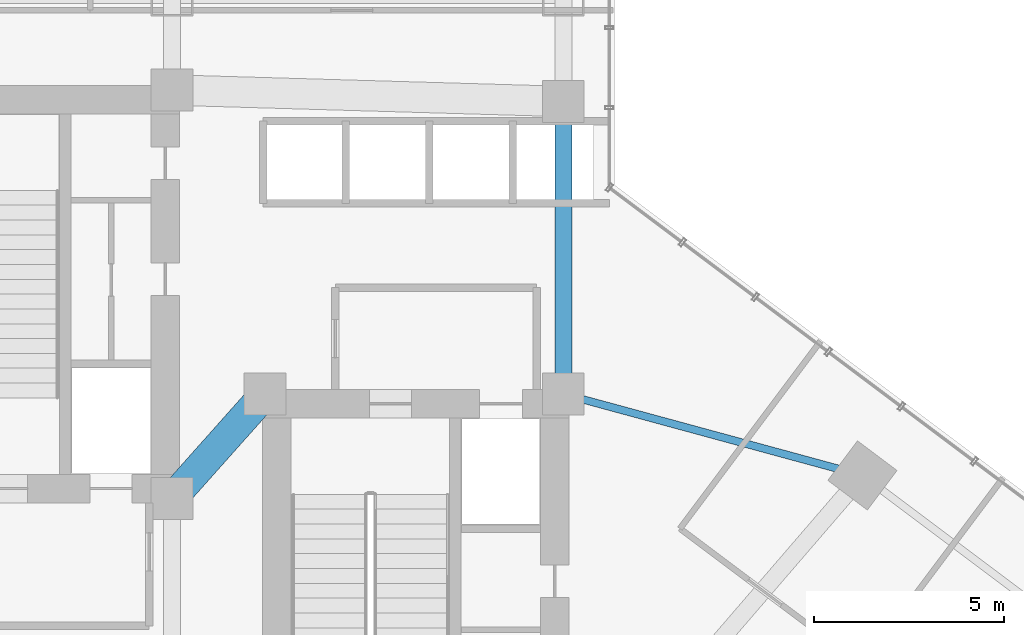
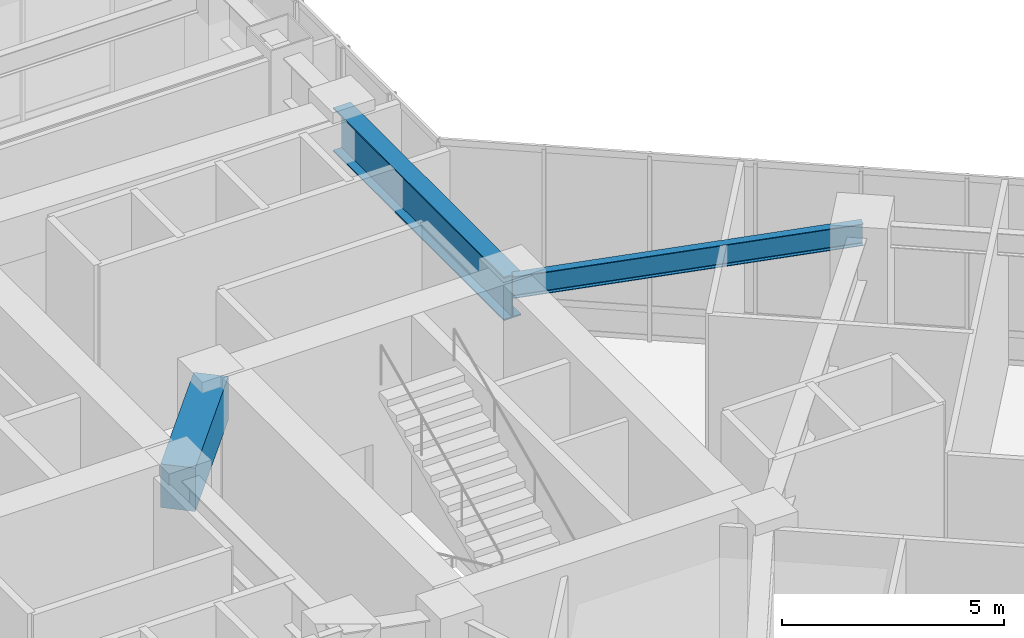
# One storey, part 19 of 35: 3 beams.
"""IFC4 building model written with IfcOpenShell, lengths in metres."""

from ifc_helpers import new_model, si_unit, direction, frame, origin, origin_2d, place, context, subcontext, project, spatial, rectangle, i_section, extrude, material, material_profile, profile_set, type_object, element, save


model = new_model("IFC4")

# Units and contexts
model_context = context("Model", 3, precision=1e-05, world=origin(), true_north=direction((0.0, 1.0)))
body_context = subcontext(model_context, "Body", "Model", "MODEL_VIEW")
ifc_project = project(units=[si_unit("LENGTHUNIT", "METRE"), si_unit("AREAUNIT", "SQUARE_METRE"), si_unit("VOLUMEUNIT", "CUBIC_METRE"), si_unit("PLANEANGLEUNIT", "RADIAN"), si_unit("MASSUNIT", "GRAM", prefix="KILO")], contexts=[model_context])

# Site, building, storey
site_placement = place(None, origin())
site = spatial("IfcSite", under=ifc_project, at=site_placement, CompositionType="ELEMENT")
building_placement = place(site_placement, origin())
building = spatial("IfcBuilding", under=site, at=building_placement, Name="Hatsunagi Terrace Concourse", CompositionType="ELEMENT")
storey_placement = place(building_placement, frame((0.0, 0.0, 16.199951171875)))
storey = spatial("IfcBuildingStorey", under=building, at=storey_placement, Name="L04", CompositionType="ELEMENT", Elevation=16.199951171875)

# Beams
ifc_material_1 = material(Name="Concrete Fc60", Category="concrete")
ifc_material_profile_1 = material_profile(ifc_material_1, rectangle(XDim=0.800048828125, YDim=1.199951171875, at=origin_2d()), Name="RC-800x1200")
ifc_profile_set_1 = profile_set([ifc_material_profile_1], Name="Concrete Fc60")
beam_type_1 = type_object("IfcBeamType", Name="CoreCouplingBeam_RC_800x1200", PredefinedType="BEAM", material=ifc_profile_set_1)
beam_1_placement = place(storey_placement, frame((33.35009765625, 32.550048828125, 4.5), z_axis=(0.665198651008, 0.746666427997, 0.0), x_axis=(-0.746666427997, 0.665198651008, 0.0)))
element("IfcBeam", 1, at=beam_1_placement, inside=storey, type_object=beam_type_1, Name="Beam CB-01 CB-L04-1", PredefinedType="BEAM", context=body_context, shape_type="SweptSolid", body=[
    extrude(rectangle(XDim=0.800048828125, YDim=1.199951171875, at=origin_2d()), origin(), (0.0, 0.0, 1.0), 3.68310546875),
])
ifc_material_2 = material(Name="Steel SN490B", Category="steel")
ifc_material_profile_2 = material_profile(ifc_material_2, i_section(OverallWidth=0.199951171875, OverallDepth=0.60009765625, WebThickness=0.010986328125, FlangeThickness=0.01708984375, FilletRadius=0.01806640625, at=origin_2d()), Name="H-600x200x11x17")
ifc_profile_set_2 = profile_set([ifc_material_profile_2], Name="Steel SN490B")
beam_type_2 = type_object("IfcBeamType", Name="PerimeterSpandrel_H_600x200", PredefinedType="SPANDREL", material=ifc_profile_set_2)
beam_2_placement = place(storey_placement, frame((43.64990234375, 35.300048828125, 4.800048828125), z_axis=(0.964958359286, -0.262403057994, 0.0), x_axis=(0.262403057994, 0.964958359286, 0.0)))
element("IfcBeam", 2, at=beam_2_placement, inside=storey, type_object=beam_type_2, Name="Beam SP-01 BM-L04-SE-NE0", PredefinedType="SPANDREL", context=body_context, shape_type="SweptSolid", body=[
    extrude(i_section(OverallWidth=0.199951171875, OverallDepth=0.60009765625, WebThickness=0.010986328125, FlangeThickness=0.01708984375, FilletRadius=0.01806640625, at=origin_2d()), origin(), (0.0, 0.0, 1.0), 8.156005859375),
])
ifc_material_3 = material(Name="Steel SN490B", Category="steel")
ifc_material_profile_3 = material_profile(ifc_material_3, i_section(OverallWidth=0.449951171875, OverallDepth=1.199951171875, WebThickness=0.02490234375, FlangeThickness=0.035888671875, at=origin_2d()), Name="BH-1200x450x25x36")
ifc_profile_set_3 = profile_set([ifc_material_profile_3], Name="Steel SN490B")
beam_type_3 = type_object("IfcBeamType", Name="PodiumHallGirder_BH_1200x450x25x36", PredefinedType="BEAM", material=ifc_profile_set_3)
beam_3_placement = place(storey_placement, frame((43.64990234375, 35.300048828125, 4.5), z_axis=(0.0, 1.0, 0.0), x_axis=(-1.0, 0.0, 0.0)))
element("IfcBeam", 3, at=beam_3_placement, inside=storey, type_object=beam_type_3, Name="Beam G-01 BM-L04-CBK3", PredefinedType="BEAM", context=body_context, shape_type="SweptSolid", body=[
    extrude(i_section(OverallWidth=0.449951171875, OverallDepth=1.199951171875, WebThickness=0.02490234375, FlangeThickness=0.035888671875, at=origin_2d()), origin(), (0.0, 0.0, 1.0), 7.699951171875),
])

save(model, "model.ifc")
